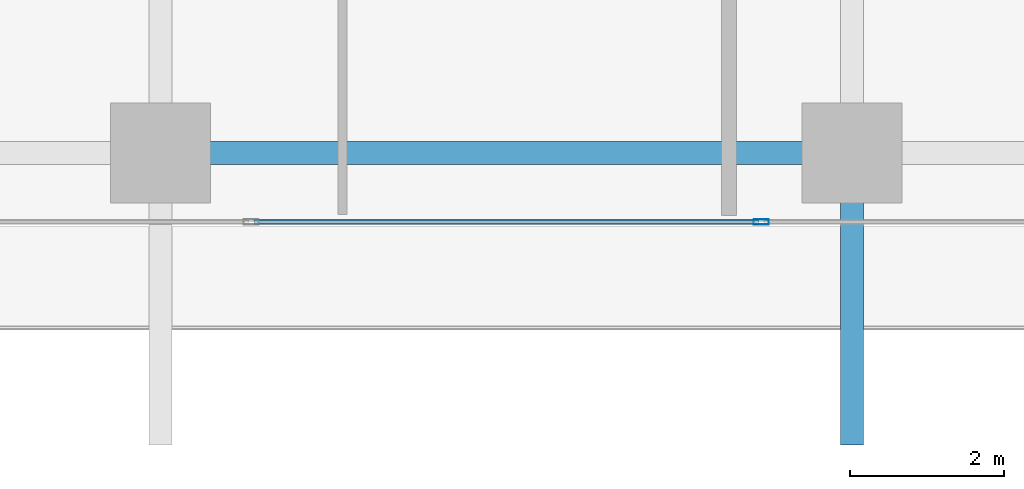
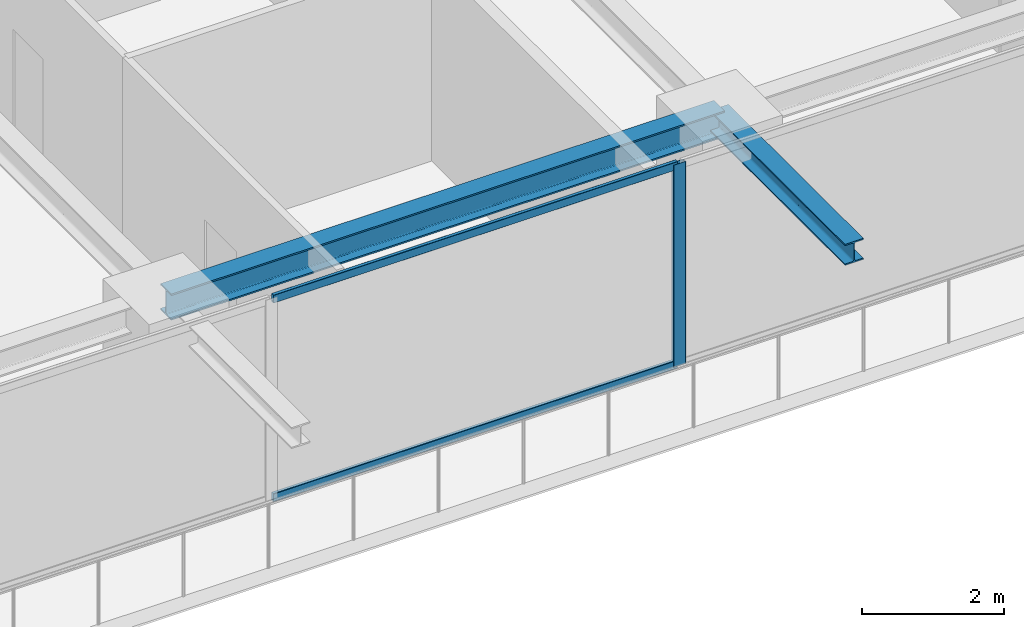
# One storey, part 6 of 37: 3 members, 2 beams, 1 element without a shape of its own.
"""IFC4 building model written with IfcOpenShell, lengths in metres."""

from ifc_helpers import new_model, si_unit, direction, frame, origin, origin_2d, place, context, subcontext, project, spatial, hollow_rectangle, i_section, extrude, source, transform, mapped, material, layer, layer_set, material_profile, profile_set, type_object, element, aggregate, save


model = new_model("IFC4")

# Units and contexts
model_context = context("Model", 3, precision=1e-05, world=origin(), true_north=direction((0.0, 1.0)))
body_context = subcontext(model_context, "Body", "Model", "MODEL_VIEW")
ifc_project = project(units=[si_unit("LENGTHUNIT", "METRE"), si_unit("AREAUNIT", "SQUARE_METRE"), si_unit("VOLUMEUNIT", "CUBIC_METRE"), si_unit("PLANEANGLEUNIT", "RADIAN"), si_unit("MASSUNIT", "GRAM", prefix="KILO")], contexts=[model_context])

# Site, building, storey
site_placement = place(None, origin())
site = spatial("IfcSite", under=ifc_project, at=site_placement, CompositionType="ELEMENT")
building_placement = place(site_placement, origin())
building = spatial("IfcBuilding", under=site, at=building_placement, Name="Serunith Strait Residences", CompositionType="ELEMENT")
storey_placement = place(building_placement, frame((0.0, 0.0, 153.89990234375)))
storey = spatial("IfcBuildingStorey", under=building, at=storey_placement, Name="L38", CompositionType="ELEMENT", Elevation=153.89990234375)

# Beams
ifc_material_1 = material(Name="Steel S355J2", Category="steel")
ifc_material_profile_1 = material_profile(ifc_material_1, i_section(OverallWidth=0.300048828125, OverallDepth=0.449951171875, WebThickness=0.013916015625, FlangeThickness=0.02587890625, FilletRadius=0.027099609375, at=origin_2d()), Name="HEB 450")
ifc_profile_set_1 = profile_set([ifc_material_profile_1], Name="Steel S355J2")
beam_type_1 = type_object("IfcBeamType", Name="BM-HEB450", PredefinedType="BEAM", material=ifc_profile_set_1)
shared_shape_1 = source(origin(), body_context, "Body", "SweptSolid", [
    extrude(i_section(OverallWidth=0.300048828125, OverallDepth=0.449951171875, WebThickness=0.013916015625, FlangeThickness=0.02587890625, FilletRadius=0.027099609375, at=origin_2d()), origin(), (0.0, 0.0, 1.0), 9.0),
])
beam_1_placement = place(storey_placement, frame((27.89990234375, 2.300048828125, 3.26220703125), z_axis=(1.0, 0.0, 0.0), x_axis=(0.0, 1.0, 0.0)))
element("IfcBeam", 1, at=beam_1_placement, inside=storey, type_object=beam_type_1, Name="L38 Perimeter Ring Beam 02", PredefinedType="BEAM", context=body_context, shape_type="MappedRepresentation", body=[
    mapped(shared_shape_1, transform((0.0, 0.0, 0.0), scale=1.0)),
])
ifc_material_profile_2 = material_profile(ifc_material_1, i_section(OverallWidth=0.300048828125, OverallDepth=0.360107421875, WebThickness=0.012451171875, FlangeThickness=0.0224609375, FilletRadius=0.027099609375, at=origin_2d()), Name="HEB 360")
ifc_profile_set_2 = profile_set([ifc_material_profile_2], Name="Steel S355J2")
beam_type_2 = type_object("IfcBeamType", Name="BM-HEB360", PredefinedType="BEAM", material=ifc_profile_set_2)
shared_shape_2 = source(origin(), body_context, "Body", "SweptSolid", [
    extrude(i_section(OverallWidth=0.300048828125, OverallDepth=0.360107421875, WebThickness=0.012451171875, FlangeThickness=0.0224609375, FilletRadius=0.027099609375, at=origin_2d()), origin(), (0.0, 0.0, 1.0), 3.800048828125),
])
beam_2_placement = place(storey_placement, frame((36.89990234375, 2.300048828125, 3.277099609375), z_axis=(0.0, -1.0, 0.0), x_axis=(1.0, 0.0, 0.0)))
element("IfcBeam", 2, at=beam_2_placement, inside=storey, type_object=beam_type_2, Name="L39 Cantilevered Balcony Rib TC-S3", PredefinedType="BEAM", context=body_context, shape_type="MappedRepresentation", body=[
    mapped(shared_shape_2, transform((0.0, 0.0, 0.0), scale=1.0)),
])

# Curtain wall, members
ifc_material_2 = material(Name="Pale-Champagne Anodised Aluminium", Category="aluminium")
ifc_layer = layer(ifc_material_2, 0.199951171875, Name="Pale-Champagne Anodised Aluminium")
ifc_layer_set = layer_set([ifc_layer], Name="Pale-Champagne Anodised Aluminium")
curtain_wall_type = type_object("IfcCurtainWallType", Name="CW-SYS2", PredefinedType="NOTDEFINED", material=ifc_layer_set)
curtain_wall_placement = place(storey_placement, origin())
curtain_wall = element("IfcCurtainWall", 3, at=curtain_wall_placement, inside=storey, type_object=curtain_wall_type, Name="L38 S Unitised Fritted Curtain Wall", PredefinedType="NOTDEFINED")
ifc_material_profile_3 = material_profile(ifc_material_2, hollow_rectangle(XDim=0.070068359375, YDim=0.199951171875, WallThickness=0.00390625, InnerFilletRadius=0.006103515625, OuterFilletRadius=0.010009765625, at=origin_2d()), Name="ALU 200x70x4")
ifc_profile_set_3 = profile_set([ifc_material_profile_3], Name="Pale-Champagne Anodised Aluminium")
member_type_1 = type_object("IfcMemberType", Name="CW-SYS2-MULL", PredefinedType="MULLION", material=ifc_profile_set_3)
shared_shape_3 = source(origin(), body_context, "Body", "SweptSolid", [
    extrude(hollow_rectangle(XDim=0.070068359375, YDim=0.199951171875, WallThickness=0.00390625, InnerFilletRadius=0.006103515625, OuterFilletRadius=0.010009765625, at=origin_2d()), origin(), (0.0, 0.0, 1.0), 3.47509765625),
])
member_1_placement = place(storey_placement, frame((35.719970703125, 1.39990234375, 0.0), z_axis=(0.0, 0.0, 1.0), x_axis=(0.0, 1.0, 0.0)))
member_1 = element("IfcMember", 4, at=member_1_placement, type_object=member_type_1, Name="CW-2 mullion 4", PredefinedType="MULLION", context=body_context, shape_type="MappedRepresentation", body=[
    mapped(shared_shape_3, transform((0.0, 0.0, 0.0), scale=1.0)),
])
ifc_material_profile_4 = material_profile(ifc_material_2, hollow_rectangle(XDim=0.06005859375, YDim=0.139892578125, WallThickness=0.00341796875, InnerFilletRadius=0.00537109375, OuterFilletRadius=0.0087890625, at=origin_2d()), Name="ALU 140x60x3.5")
ifc_profile_set_4 = profile_set([ifc_material_profile_4], Name="Pale-Champagne Anodised Aluminium")
member_type_2 = type_object("IfcMemberType", Name="CW-SYS2-TRAN", PredefinedType="USERDEFINED", material=ifc_profile_set_4)
shared_shape_4 = source(origin(), body_context, "Body", "SweptSolid", [
    extrude(hollow_rectangle(XDim=0.06005859375, YDim=0.139892578125, WallThickness=0.00341796875, InnerFilletRadius=0.00537109375, OuterFilletRadius=0.0087890625, at=origin_2d()), origin(), (0.0, 0.0, 1.0), 6.570068359375),
])
member_2_placement = place(storey_placement, frame((29.114990234375, 1.39990234375, 0.030029296875), z_axis=(1.0, 0.0, 0.0), x_axis=(0.0, 1.0, 0.0)))
member_2 = element("IfcMember", 5, at=member_2_placement, type_object=member_type_2, Name="CW-2 transom 3.1", ObjectType="TRANSOM", PredefinedType="USERDEFINED", context=body_context, shape_type="MappedRepresentation", body=[
    mapped(shared_shape_4, transform((0.0, 0.0, 0.0), scale=1.0)),
])
member_3_placement = place(storey_placement, frame((29.114990234375, 1.39990234375, 3.445068359375), z_axis=(1.0, 0.0, 0.0), x_axis=(0.0, 1.0, 0.0)))
member_3 = element("IfcMember", 6, at=member_3_placement, type_object=member_type_2, Name="CW-2 transom 3.2", ObjectType="TRANSOM", PredefinedType="USERDEFINED", context=body_context, shape_type="MappedRepresentation", body=[
    mapped(shared_shape_4, transform((0.0, 0.0, 0.0), scale=1.0)),
])
aggregate(curtain_wall, [member_1, member_2, member_3])

save(model, "model.ifc")
